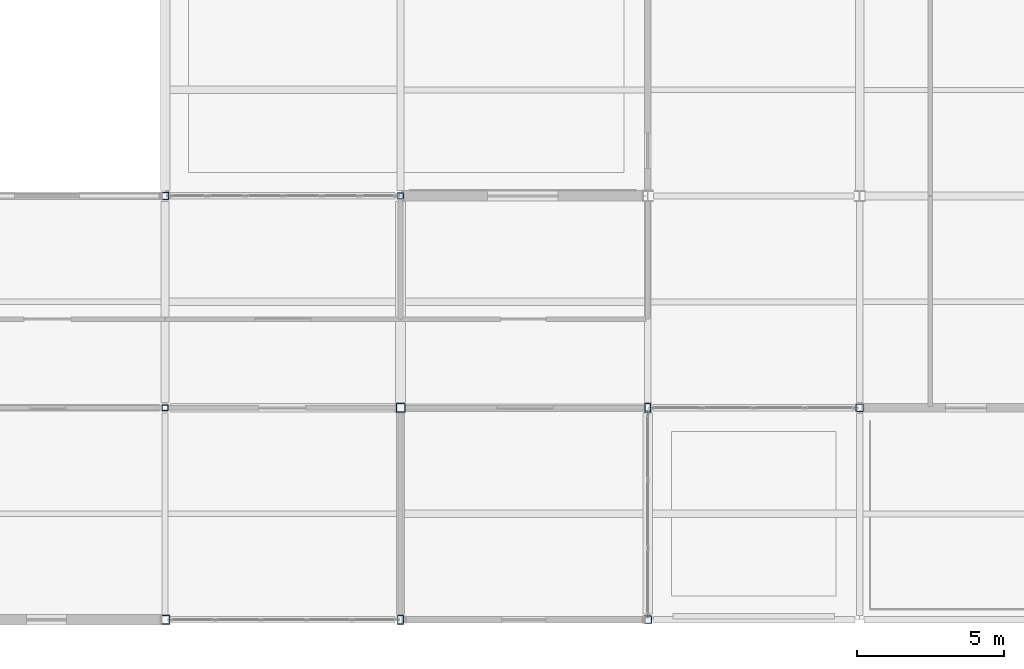
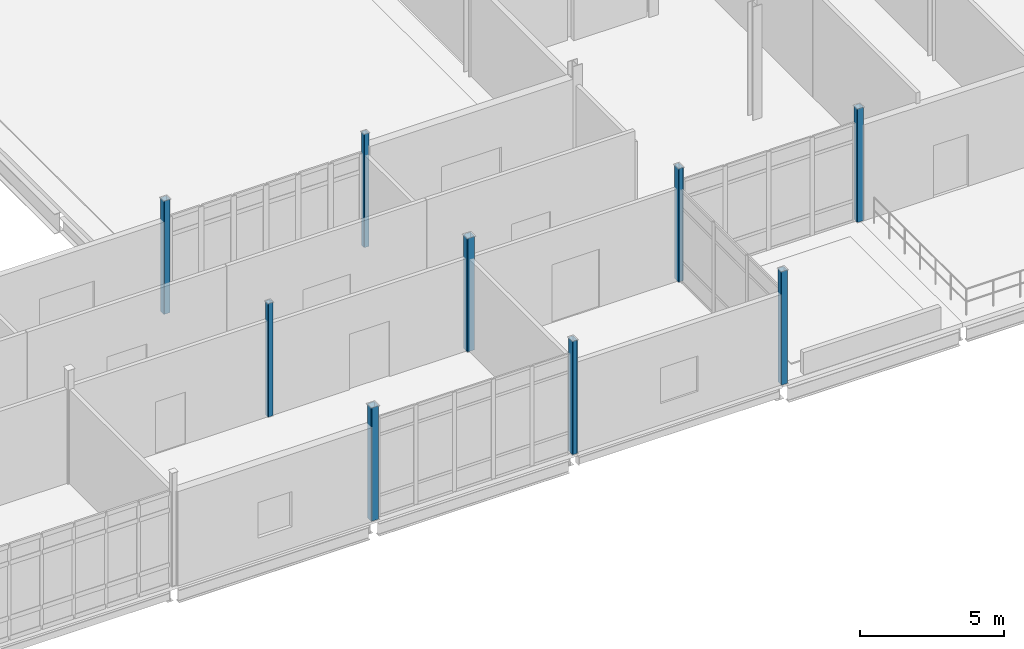
# One storey, part 6 of 186: 9 columns.
"""IFC4 building model written with IfcOpenShell, lengths in metres."""

from ifc_helpers import new_model, si_unit, direction, frame, origin, origin_2d, place, context, subcontext, project, spatial, hollow_rectangle, extrude, material, material_profile, profile_set, type_object, element, save


model = new_model("IFC4")

# Units and contexts
model_context = context("Model", 3, precision=1e-05, world=origin(), true_north=direction((0.0, 1.0)))
body_context = subcontext(model_context, "Body", "Model", "MODEL_VIEW")
ifc_project = project(units=[si_unit("LENGTHUNIT", "METRE"), si_unit("AREAUNIT", "SQUARE_METRE"), si_unit("VOLUMEUNIT", "CUBIC_METRE"), si_unit("PLANEANGLEUNIT", "RADIAN"), si_unit("MASSUNIT", "GRAM", prefix="KILO")], contexts=[model_context])

# Site, building, storey
site_placement = place(None, origin())
site = spatial("IfcSite", under=ifc_project, at=site_placement, CompositionType="ELEMENT")
building_placement = place(site_placement, origin())
building = spatial("IfcBuilding", under=site, at=building_placement, Name="Calvrana Isthmian Art Gallery", CompositionType="ELEMENT")
storey_placement = place(building_placement, frame((0.0, 0.0, 5.39990234375)))
storey = spatial("IfcBuildingStorey", under=building, at=storey_placement, Name="L01", CompositionType="ELEMENT", Elevation=5.39990234375)

# Columns
ifc_material = material(Name="Steel ASTM A500 Gr C", Category="steel")
ifc_material_profile_1 = material_profile(ifc_material, hollow_rectangle(XDim=0.203125, YDim=0.203125, WallThickness=0.0126953125, OuterFilletRadius=0.02490234375, at=origin_2d()), Name="HSS203X203X12.7")
ifc_profile_set_1 = profile_set([ifc_material_profile_1], Name="Steel ASTM A500 Gr C")
column_type_1 = type_object("IfcColumnType", Name="COL-STL-HSS203X203X12.7", PredefinedType="COLUMN", material=ifc_profile_set_1)
for number, where, z_axis, x_axis, name in (
    (1, (96.39990234375, 7.199951171875, 0.0), (0.0, 0.0, 1.0), (1.0, 0.0, 0.0), "Column 13/B L01"),
    (2, (104.39990234375, 14.39990234375, 0.0), (0.0, 0.0, 1.0), (1.0, 0.0, 0.0), "Column 14/C L01"),
):
    element("IfcColumn", number, at=place(storey_placement, frame(where, z_axis=z_axis, x_axis=x_axis)), inside=storey, type_object=column_type_1, Name=name, PredefinedType="COLUMN", context=body_context, shape_type="SweptSolid", body=[
        extrude(hollow_rectangle(XDim=0.203125, YDim=0.203125, WallThickness=0.0126953125, OuterFilletRadius=0.02490234375, at=origin_2d()), origin(), (0.0, 0.0, 1.0), 4.800048828125),
    ])
ifc_material_profile_2 = material_profile(ifc_material, hollow_rectangle(XDim=0.25390625, YDim=0.25390625, WallThickness=0.0126953125, OuterFilletRadius=0.02490234375, at=origin_2d()), Name="HSS254X254X12.7")
ifc_profile_set_2 = profile_set([ifc_material_profile_2], Name="Steel ASTM A500 Gr C")
column_type_2 = type_object("IfcColumnType", Name="COL-STL-HSS254X254X12.7", PredefinedType="COLUMN", material=ifc_profile_set_2)
for number, where, z_axis, x_axis, name in (
    (3, (96.39990234375, 14.39990234375, 0.0), (0.0, 0.0, 1.0), (1.0, 0.0, 0.0), "Column 13/C L01"),
    (4, (112.800048828125, 0.0, 0.0), (0.0, 0.0, 1.0), (1.0, 0.0, 0.0), "Column 15/A L01"),
    (5, (120.0, 7.199951171875, 0.0), (0.0, 0.0, 1.0), (1.0, 0.0, 0.0), "Column 16/B L01"),
):
    element("IfcColumn", number, at=place(storey_placement, frame(where, z_axis=z_axis, x_axis=x_axis)), inside=storey, type_object=column_type_2, Name=name, PredefinedType="COLUMN", context=body_context, shape_type="SweptSolid", body=[
        extrude(hollow_rectangle(XDim=0.25390625, YDim=0.25390625, WallThickness=0.0126953125, OuterFilletRadius=0.02490234375, at=origin_2d()), origin(), (0.0, 0.0, 1.0), 4.800048828125),
    ])
ifc_material_profile_3 = material_profile(ifc_material, hollow_rectangle(XDim=0.203125, YDim=0.3046875, WallThickness=0.0126953125, OuterFilletRadius=0.02490234375, at=origin_2d()), Name="HSS305X203X12.7")
ifc_profile_set_3 = profile_set([ifc_material_profile_3], Name="Steel ASTM A500 Gr C")
column_type_3 = type_object("IfcColumnType", Name="COL-STL-HSS305X203X12.7", PredefinedType="COLUMN", material=ifc_profile_set_3)
for number, where, z_axis, x_axis, name in (
    (6, (104.39990234375, 0.0, 0.0), (0.0, 0.0, 1.0), (1.0, 0.0, 0.0), "Column 14/A L01"),
    (7, (112.800048828125, 7.199951171875, 0.0), (0.0, 0.0, 1.0), (1.0, 0.0, 0.0), "Column 15/B L01"),
):
    element("IfcColumn", number, at=place(storey_placement, frame(where, z_axis=z_axis, x_axis=x_axis)), inside=storey, type_object=column_type_3, Name=name, PredefinedType="COLUMN", context=body_context, shape_type="SweptSolid", body=[
        extrude(hollow_rectangle(XDim=0.203125, YDim=0.3046875, WallThickness=0.0126953125, OuterFilletRadius=0.02490234375, at=origin_2d()), origin(), (0.0, 0.0, 1.0), 4.800048828125),
    ])
ifc_material_profile_4 = material_profile(ifc_material, hollow_rectangle(XDim=0.3046875, YDim=0.3046875, WallThickness=0.015869140625, OuterFilletRadius=0.031982421875, at=origin_2d()), Name="HSS305X305X15.9")
ifc_profile_set_4 = profile_set([ifc_material_profile_4], Name="Steel ASTM A500 Gr C")
column_type_4 = type_object("IfcColumnType", Name="COL-STL-HSS305X305X15.9", PredefinedType="COLUMN", material=ifc_profile_set_4)
for number, where, z_axis, x_axis, name in (
    (8, (96.39990234375, 0.0, 0.0), (0.0, 0.0, 1.0), (1.0, 0.0, 0.0), "Column 13/A L01"),
    (9, (104.39990234375, 7.199951171875, 0.0), (0.0, 0.0, 1.0), (1.0, 0.0, 0.0), "Column 14/B L01"),
):
    element("IfcColumn", number, at=place(storey_placement, frame(where, z_axis=z_axis, x_axis=x_axis)), inside=storey, type_object=column_type_4, Name=name, PredefinedType="COLUMN", context=body_context, shape_type="SweptSolid", body=[
        extrude(hollow_rectangle(XDim=0.3046875, YDim=0.3046875, WallThickness=0.015869140625, OuterFilletRadius=0.031982421875, at=origin_2d()), origin(), (0.0, 0.0, 1.0), 4.800048828125),
    ])

save(model, "model.ifc")
